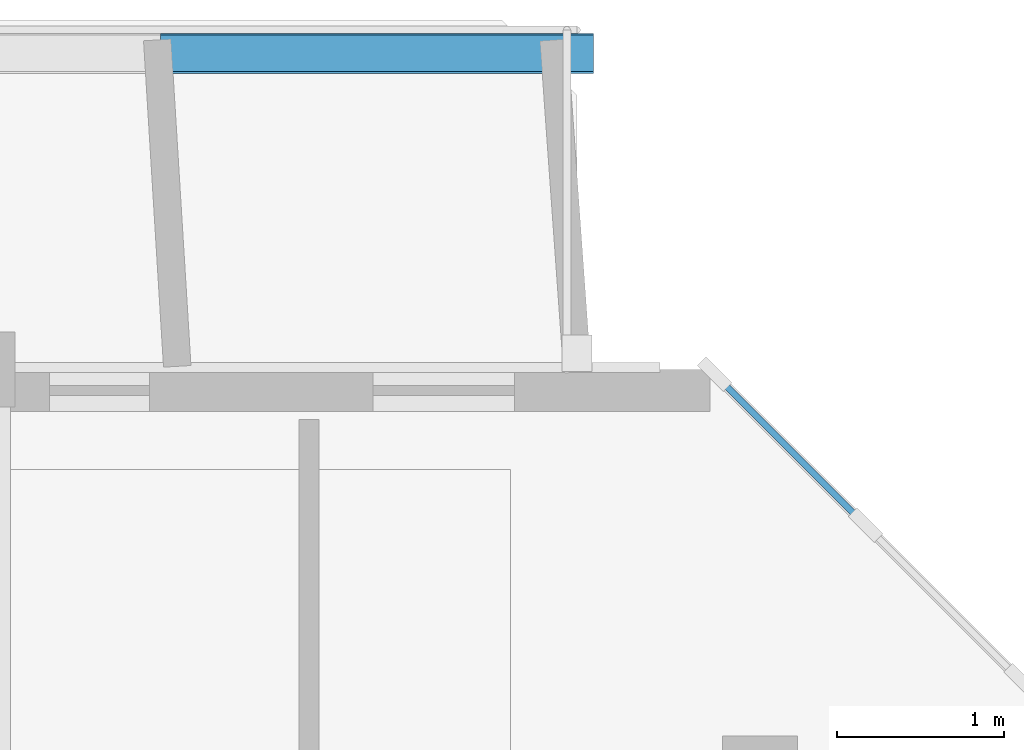
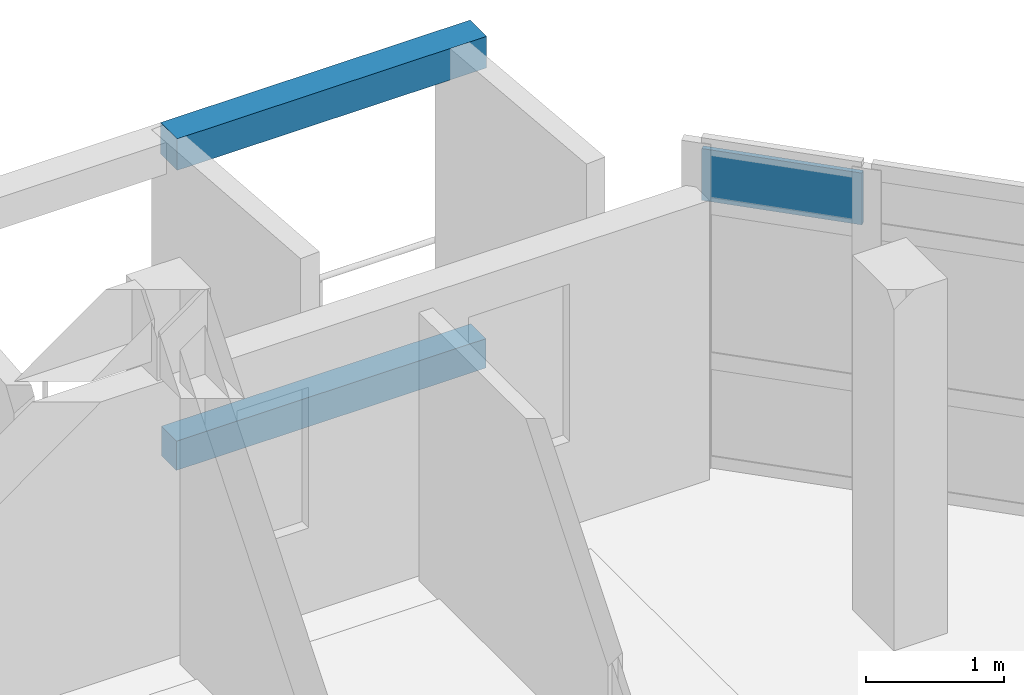
# One storey, part 18 of 43: 3 plates, 1 element without a shape of its own.
"""IFC4 building model written with IfcOpenShell, lengths in metres."""

from ifc_helpers import new_model, si_unit, direction, frame, origin, origin_2d, place, context, subcontext, project, spatial, rectangle, extrude, material, layer, layer_set, type_object, element, aggregate, save


model = new_model("IFC4")

# Units and contexts
model_context = context("Model", 3, precision=1e-05, world=origin(), true_north=direction((0.0, 1.0)))
body_context = subcontext(model_context, "Body", "Model", "MODEL_VIEW")
ifc_project = project(units=[si_unit("LENGTHUNIT", "METRE"), si_unit("AREAUNIT", "SQUARE_METRE"), si_unit("VOLUMEUNIT", "CUBIC_METRE"), si_unit("PLANEANGLEUNIT", "RADIAN"), si_unit("MASSUNIT", "GRAM", prefix="KILO")], contexts=[model_context])

# Site, building, storey
site_placement = place(None, origin())
site = spatial("IfcSite", under=ifc_project, at=site_placement, CompositionType="ELEMENT")
building_placement = place(site_placement, origin())
building = spatial("IfcBuilding", under=site, at=building_placement, Name="Ochrevale Crest", CompositionType="ELEMENT")
storey_placement = place(building_placement, frame((0.0, 0.0, 30.75)))
storey = spatial("IfcBuildingStorey", under=building, at=storey_placement, Name="L09", CompositionType="ELEMENT", Elevation=30.75)

# Curtain wall, plate
ifc_material_1 = material(Name="Anodised aluminium 6063-T5", Category="aluminium")
ifc_layer_1 = layer(ifc_material_1, 0.14990234375)
ifc_layer_set_1 = layer_set([ifc_layer_1], Name="Anodised aluminium 6063-T5")
curtain_wall_type = type_object("IfcCurtainWallType", Name="CW-WG-360x285", PredefinedType="NOTDEFINED", material=ifc_layer_set_1)
curtain_wall_placement = place(storey_placement, origin())
curtain_wall = element("IfcCurtainWall", 1, at=curtain_wall_placement, inside=storey, type_object=curtain_wall_type, Name="Block D L09 chamfered corner wintergarden curtain wall 4", PredefinedType="NOTDEFINED")
ifc_material_2 = material(Name="Acoustic laminated low-E insulated glass unit", Category="glass")
ifc_layer_2 = layer(ifc_material_2, 0.0380859375)
ifc_layer_set_2 = layer_set([ifc_layer_2], Name="Acoustic laminated low-E insulated glass unit")
plate_type_1 = type_object("IfcPlateType", Name="CW-PNL-IGU38", PredefinedType="CURTAIN_PANEL", material=ifc_layer_set_2)
plate_1_placement = place(storey_placement, frame((163.280029296875, 93.1201171875, 2.35498046875), z_axis=(0.0, 0.0, 1.0), x_axis=(-0.707106781187, 0.707106781187, 0.0)))
plate_1 = element("IfcPlate", 2, at=plate_1_placement, type_object=plate_type_1, Name="CW18 panel 3.3", PredefinedType="CURTAIN_PANEL", context=body_context, shape_type="SweptSolid", body=[
    extrude(rectangle(XDim=1.20751953125, YDim=0.0380859375, at=origin_2d()), origin(), (0.0, 0.0, 1.0), 0.4599609375),
])
aggregate(curtain_wall, [plate_1])

# Plates
ifc_material_3 = material(Name="Precast concrete C40/50", Category="concrete")
ifc_layer_3 = layer(ifc_material_3, 0.06005859375)
ifc_layer_set_3 = layer_set([ifc_layer_3], Name="Precast concrete C40/50")
plate_type_2 = type_object("IfcPlateType", Name="PLT-HC-HEAD-60", PredefinedType="USERDEFINED", material=ifc_layer_set_3)
plate_2_placement = place(storey_placement, frame((160.800048828125, 95.5, 2.669921875), z_axis=(0.0, 0.0, 1.0), x_axis=(1.0, 0.0, 0.0)))
element("IfcPlate", 3, at=plate_2_placement, inside=storey, type_object=plate_type_2, Name="Block D L09 N honeycomb arched lintel fascia 12", ObjectType="FACADE FASCIA PLATE", PredefinedType="USERDEFINED", context=body_context, shape_type="SweptSolid", body=[
    extrude(rectangle(XDim=2.60009765625, YDim=0.239990234375, at=origin_2d()), origin(), (0.0, 0.0, 1.0), 0.280029296875),
])
ifc_layer_4 = layer(ifc_material_3, 0.044921875)
ifc_layer_set_4 = layer_set([ifc_layer_4], Name="Precast concrete C40/50")
plate_type_3 = type_object("IfcPlateType", Name="PLT-HC-SILL-45", PredefinedType="USERDEFINED", material=ifc_layer_set_4)
plate_3_placement = place(storey_placement, frame((160.800048828125, 95.5, 0.0), z_axis=(0.0, 0.0, 1.0), x_axis=(1.0, 0.0, 0.0)))
element("IfcPlate", 4, at=plate_3_placement, inside=storey, type_object=plate_type_3, Name="Block D L09 N honeycomb sill coping plate 12", ObjectType="SILL COPING PLATE", PredefinedType="USERDEFINED", context=body_context, shape_type="SweptSolid", body=[
    extrude(rectangle(XDim=2.60009765625, YDim=0.219970703125, at=origin_2d()), origin(), (0.0, 0.0, 1.0), 0.260009765625),
])

save(model, "model.ifc")
